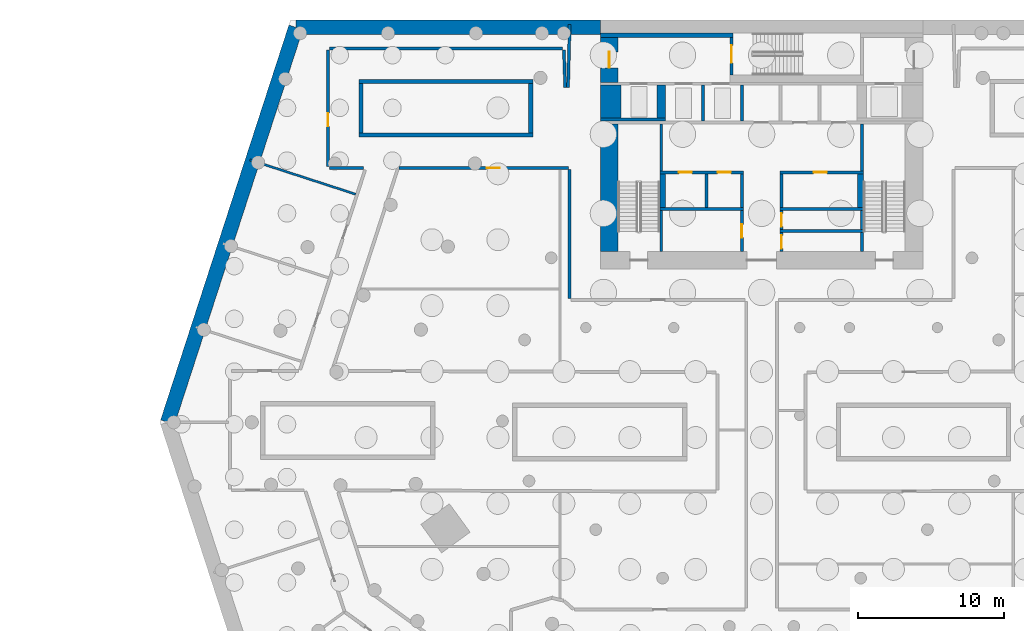
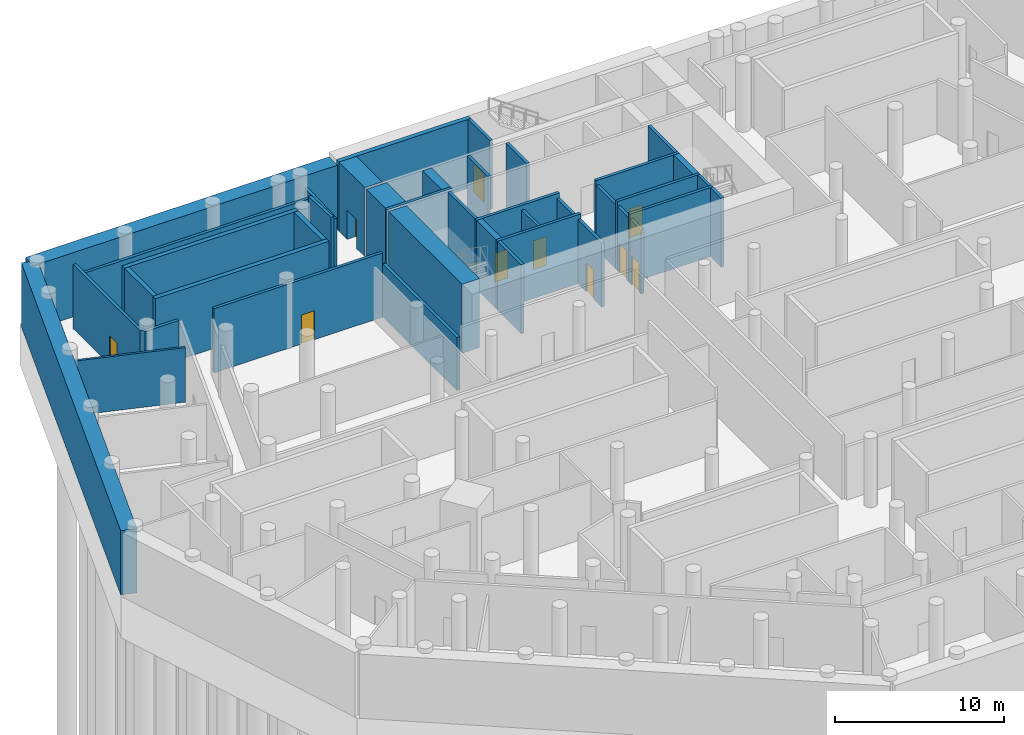
# One storey, part 8 of 12: 41 walls, 10 doors, 10 openings.
"""IFC4 building model written with IfcOpenShell, lengths in metres."""

import ifcopenshell
import ifcopenshell.guid

model = None  # the IFC model being written
_history = None  # IfcOwnerHistory: only IFC2X3 demands one
_inside = {}  # id of a spatial element -> (the spatial element, [elements in it])
_under = {}  # id of a project, library or spatial element -> (it, [spatial elements below it])
_declared = {}  # id of a project -> (the project, [libraries it declares])
_typed = {}  # id of a type object -> (the type object, [elements of that type])
_made_of = {}  # id of a material, layer set ... -> (it, [elements and type objects made of it])


def new_model(schema):
    """Start an empty IFC model of exactly this schema.

    Asked for "IFC4X3", IfcOpenShell would pick the latest addendum, in which some entities
    have other attributes; the version numbers below select the first issue.
    IFC2X3 requires an IfcOwnerHistory on every rooted entity: one is made here for all.
    """
    global model, _history
    if schema == "IFC4X3":
        model = ifcopenshell.file(schema_version=(4, 3, 0, 0))
    else:
        model = ifcopenshell.file(schema=schema)
    _inside.clear()
    _under.clear()
    _declared.clear()
    _typed.clear()
    _made_of.clear()
    _history = None
    if model.schema == "IFC2X3":
        org = make("IfcOrganization", Name="unknown")
        user = make(
            "IfcPersonAndOrganization",
            ThePerson=make("IfcPerson", FamilyName="unknown"),
            TheOrganization=org,
        )
        app = make(
            "IfcApplication",
            ApplicationDeveloper=org,
            Version="unknown",
            ApplicationFullName="unknown",
            ApplicationIdentifier="unknown",
        )
        _history = make(
            "IfcOwnerHistory",
            OwningUser=user,
            OwningApplication=app,
            ChangeAction="ADDED",
            CreationDate=0,
        )
    return model


def make(cls, **values):
    """One entity of the class cls with the attributes given. An attribute that is None is left unset."""
    return model.create_entity(
        cls, **{name: value for name, value in values.items() if value is not None}
    )


def rooted(cls, **values):
    """An entity with a GlobalId (a new one), such as an element, a storey or a relation."""
    return make(cls, GlobalId=ifcopenshell.guid.new(), OwnerHistory=_history, **values)


def si_unit(unit_type, name, prefix=None):
    """IfcSIUnit, for example si_unit("LENGTHUNIT", "METRE", prefix="MILLI")."""
    return make("IfcSIUnit", UnitType=unit_type, Prefix=prefix, Name=name)


def assignment(units):
    """IfcUnitAssignment: the units of a project."""
    return None if units is None else make("IfcUnitAssignment", Units=units)


def point(xyz):
    """IfcCartesianPoint."""
    return None if xyz is None else make("IfcCartesianPoint", Coordinates=xyz)


def direction(xyz):
    """IfcDirection."""
    return None if xyz is None else make("IfcDirection", DirectionRatios=xyz)


def frame(location, z_axis=None, x_axis=None):
    """IfcAxis2Placement3D, a coordinate frame: its origin and axes. An axis left out is left unset."""
    return make(
        "IfcAxis2Placement3D",
        Location=point(location),
        Axis=direction(z_axis),
        RefDirection=direction(x_axis),
    )


def frame_2d(location, x_axis=None):
    """IfcAxis2Placement2D, a coordinate frame in the plane: its origin and x axis."""
    return make(
        "IfcAxis2Placement2D", Location=point(location), RefDirection=direction(x_axis)
    )


def origin():
    """The frame at (0, 0, 0) with its axes left unset."""
    return frame((0.0, 0.0, 0.0))


def place(relative_to, where):
    """IfcLocalPlacement: puts the frame where relative to a parent placement (None: the world)."""
    return make(
        "IfcLocalPlacement", PlacementRelTo=relative_to, RelativePlacement=where
    )


def context(
    kind, dimensions, precision=None, world=None, true_north=None, identifier=None
):
    """IfcGeometricRepresentationContext, for example the 3D "Model" context."""
    return make(
        "IfcGeometricRepresentationContext",
        ContextIdentifier=identifier,
        ContextType=kind,
        CoordinateSpaceDimension=dimensions,
        Precision=precision,
        WorldCoordinateSystem=world,
        TrueNorth=true_north,
    )


def subcontext(parent, identifier, kind, view, scale=None):
    """IfcGeometricRepresentationSubContext, for example "Body" below "Model"."""
    return make(
        "IfcGeometricRepresentationSubContext",
        ContextIdentifier=identifier,
        ContextType=kind,
        ParentContext=parent,
        TargetScale=scale,
        TargetView=view,
    )


def project(units=None, contexts=None):
    """IfcProject with its units and contexts."""
    return rooted(
        "IfcProject",
        Name="project",
        RepresentationContexts=contexts,
        UnitsInContext=assignment(units),
    )


def spatial(cls, under=None, at=None, **own):
    """A site, building, storey or space (cls), placed at a placement, below another one or the project."""
    s = rooted(cls, ObjectPlacement=at, **own)
    if under is not None:
        _under.setdefault(under.id(), (under, []))[1].append(s)
    return s


def profile(cls, at=None, kind="AREA", **sizes):
    """A parametric profile (cls). Its sizes go by their IFC names, for example OverallWidth=200.0."""
    return make(cls, ProfileType=kind, Position=at, **sizes)


def rectangle(**sizes):
    """IfcRectangleProfileDef."""
    return profile("IfcRectangleProfileDef", **sizes)


def extrude(swept, where, along, depth):
    """IfcExtrudedAreaSolid: the profile swept, set in the frame where, extruded along a direction by depth."""
    return make(
        "IfcExtrudedAreaSolid",
        SweptArea=swept,
        Position=where,
        ExtrudedDirection=direction(along),
        Depth=depth,
    )


def shape(context_of_items, identifier, shape_type, items):
    """IfcShapeRepresentation: the items that make up one representation, for example the "Body"."""
    return make(
        "IfcShapeRepresentation",
        ContextOfItems=context_of_items,
        RepresentationIdentifier=identifier,
        RepresentationType=shape_type,
        Items=items,
    )


def material(Name=None, Category=None):
    """IfcMaterial."""
    return make("IfcMaterial", Name=Name, Category=Category)


def layer(
    of_material, thickness, ventilated=None, Name=None, Category=None, Priority=None
):
    """IfcMaterialLayer: one layer of a wall or slab, of a material (None: an air gap)."""
    return make(
        "IfcMaterialLayer",
        Material=of_material,
        LayerThickness=thickness,
        IsVentilated=ventilated,
        Name=Name,
        Category=Category,
        Priority=Priority,
    )


def layer_set(layers, Name=None):
    """IfcMaterialLayerSet."""
    return make("IfcMaterialLayerSet", MaterialLayers=layers, LayerSetName=Name)


def made_of(thing, what):
    """Note that an element or type object is made of a material, layer set ...; save() writes the relation."""
    if what is not None:
        _made_of.setdefault(what.id(), (what, []))[1].append(thing)
    return thing


def type_object(cls, material=None, **own):
    """A type object (cls), such as IfcWallType, which elements share."""
    return made_of(rooted(cls, **own), material)


def element(
    cls,
    number,
    at=None,
    inside=None,
    cuts=None,
    type_object=None,
    material=None,
    context=None,
    identifier="Body",
    shape_type=None,
    held_by="IfcProductDefinitionShape",
    body=None,
    shapes=None,
    **own,
):
    """One element of the class cls, such as IfcWall. Its Tag is "e" and its number.

    at: its placement. inside: the storey or other place that contains it. cuts: it is an
    opening in that element (IfcRelVoidsElement). A single representation is given by context,
    identifier, shape_type and body (its items); several are given by shapes. held_by: the class
    of the entity that holds the representations. save() writes the other relations.
    """
    e = rooted(cls, Tag="e%d" % number, ObjectPlacement=at, **own)
    if body is not None:
        shapes = [shape(context, identifier, shape_type, body)]
    if shapes is not None:
        e.Representation = make(held_by, Representations=shapes)
    if inside is not None:
        _inside.setdefault(inside.id(), (inside, []))[1].append(e)
    if cuts is not None:
        rooted(
            "IfcRelVoidsElement", RelatingBuildingElement=cuts, RelatedOpeningElement=e
        )
    if type_object is not None:
        _typed.setdefault(type_object.id(), (type_object, []))[1].append(e)
    return made_of(e, material)


def fill(opening, filler):
    """IfcRelFillsElement: the door or window that sits in an opening."""
    return rooted(
        "IfcRelFillsElement",
        RelatingOpeningElement=opening,
        RelatedBuildingElement=filler,
    )


def aggregate(whole, parts):
    """IfcRelAggregates: a whole, such as a stair, and the parts it consists of."""
    return rooted("IfcRelAggregates", RelatingObject=whole, RelatedObjects=parts)


def save(model, path):
    """Write the relations noted so far, then the file.

    IfcRelAggregates (storeys below a building ...), IfcRelContainedInSpatialStructure (elements
    in a storey), IfcRelDefinesByType, IfcRelAssociatesMaterial and IfcRelDeclares: one each for
    every whole, place, type object, material and project.
    """
    for whole, parts in _under.values():
        aggregate(whole, parts)
    for where, things in _inside.values():
        rooted(
            "IfcRelContainedInSpatialStructure",
            RelatedElements=things,
            RelatingStructure=where,
        )
    for kind, things in _typed.values():
        rooted("IfcRelDefinesByType", RelatedObjects=things, RelatingType=kind)
    for what, things in _made_of.values():
        rooted("IfcRelAssociatesMaterial", RelatedObjects=things, RelatingMaterial=what)
    for by, libraries in _declared.values():
        rooted("IfcRelDeclares", RelatingContext=by, RelatedDefinitions=libraries)
    model.write(path)


model = new_model("IFC4")

# Units and contexts
model_context = context("Model", 3, precision=1e-05, world=origin(), true_north=direction((0.0, 1.0)))
body_context = subcontext(model_context, "Body", "Model", "MODEL_VIEW")
ifc_project = project(units=[si_unit("LENGTHUNIT", "METRE"), si_unit("AREAUNIT", "SQUARE_METRE"), si_unit("VOLUMEUNIT", "CUBIC_METRE"), si_unit("PLANEANGLEUNIT", "RADIAN"), si_unit("MASSUNIT", "GRAM", prefix="KILO")], contexts=[model_context])

# Site, building, storey
site_placement = place(None, origin())
site = spatial("IfcSite", under=ifc_project, at=site_placement, CompositionType="ELEMENT")
building_placement = place(site_placement, origin())
building = spatial("IfcBuilding", under=site, at=building_placement, Name="White Candle Pilgrim Tower", CompositionType="ELEMENT")
storey_placement = place(building_placement, frame((0.0, 0.0, -10.0)))
storey = spatial("IfcBuildingStorey", under=building, at=storey_placement, Name="B2", CompositionType="ELEMENT", Elevation=-10.0)

# Wall, opening, door
ifc_material_1 = material(Name="Concrete C70/85", Category="concrete")
ifc_layer_1 = layer(ifc_material_1, 1.199951171875)
ifc_layer_set_1 = layer_set([ifc_layer_1], Name="Core wall 1200 mm Concrete C70/85")
wall_type_1 = type_object("IfcWallType", Name="Core wall 1200 mm Concrete C70/85", PredefinedType="SHEAR", material=ifc_layer_set_1)
wall_1_placement = place(storey_placement, frame((59.60009765625, 83.75, 0.0), z_axis=(0.0, 0.0, 1.0), x_axis=(0.0, 1.0, 0.0)))
wall_1 = element("IfcWall", 1, at=wall_1_placement, inside=storey, type_object=wall_type_1, Name="WL-B2-C34", PredefinedType="SHEAR", context=body_context, shape_type="SweptSolid", body=[
    extrude(rectangle(XDim=3.050048828125, YDim=1.199951171875, at=frame_2d((1.52490234375, 0.0))), origin(), (0.0, 0.0, 1.0), 5.0),
])
opening_1_placement = place(wall_1_placement, frame((0.97509765625, 0.0, 0.0)))
opening_1 = element("IfcOpeningElement", 2, at=opening_1_placement, cuts=wall_1, Name="Opening B2-008", PredefinedType="OPENING", context=body_context, shape_type="SweptSolid", body=[
    extrude(rectangle(XDim=1.10009765625, YDim=2.10009765625, at=frame_2d((0.550048828125, 1.050048828125))), frame((0.0, 0.60986328125, 0.0), z_axis=(0.0, -1.0, 0.0), x_axis=(1.0, 0.0, 0.0)), (0.0, 0.0, 1.0), 1.219970703125),
])
ifc_material_2 = material(Name="Steel door leaf", Category="steel")
door_type_1 = type_object("IfcDoorType", Name="Fire door 1100 x 2100 EI 60", OperationType="NOTDEFINED", PredefinedType="DOOR", material=ifc_material_2)
door_1_placement = place(opening_1_placement, origin())
door_1 = element("IfcDoor", 3, at=door_1_placement, inside=storey, type_object=door_type_1, Name="Door B2-008", OperationType="SINGLE_SWING_RIGHT", OverallHeight=2.10009765625, OverallWidth=1.10009765625, PredefinedType="DOOR", context=body_context, shape_type="SweptSolid", body=[
    extrude(rectangle(XDim=1.10009765625, YDim=2.10009765625, at=frame_2d((0.550048828125, 1.050048828125))), frame((0.0, 0.02490234375, 0.0), z_axis=(0.0, -1.0, 0.0), x_axis=(1.0, 0.0, 0.0)), (0.0, 0.0, 1.0), 0.050048828125),
])
fill(opening_1, door_1)

# Walls
ifc_layer_2 = layer(ifc_material_1, 1.39990234375)
ifc_layer_set_2 = layer_set([ifc_layer_2], Name="Core wall 1400 mm Concrete C70/85")
wall_type_2 = type_object("IfcWallType", Name="Core wall 1400 mm Concrete C70/85", PredefinedType="SHEAR", material=ifc_layer_set_2)
wall_2_placement = place(storey_placement, frame((59.699951171875, 81.300048828125, 0.0), z_axis=(0.0, 0.0, 1.0), x_axis=(0.0, 1.0, 0.0)))
element("IfcWall", 4, at=wall_2_placement, inside=storey, type_object=wall_type_2, Name="WL-B2-C29", PredefinedType="SHEAR", context=body_context, shape_type="SweptSolid", body=[
    extrude(rectangle(XDim=2.25, YDim=1.39990234375, at=frame_2d((1.125, 0.0))), origin(), (0.0, 0.0, 1.0), 5.0),
])
ifc_layer_3 = layer(ifc_material_1, 0.199951171875)
ifc_layer_set_3 = layer_set([ifc_layer_3], Name="Core wall 200 mm Concrete C70/85")
wall_type_3 = type_object("IfcWallType", Name="Core wall 200 mm Concrete C70/85", PredefinedType="SHEAR", material=ifc_layer_set_3)
wall_3_placement = place(storey_placement, frame((59.0, 81.199951171875, 0.0), z_axis=(0.0, 0.0, 1.0), x_axis=(1.0, 0.0, 0.0)))
element("IfcWall", 5, at=wall_3_placement, inside=storey, type_object=wall_type_3, Name="WL-B2-C23", PredefinedType="SHEAR", context=body_context, shape_type="SweptSolid", body=[
    extrude(rectangle(XDim=4.449951171875, YDim=0.199951171875, at=frame_2d((2.22509765625, 0.0))), origin(), (0.0, 0.0, 1.0), 5.0),
])
ifc_material_3 = material(Name="Gypsum board on steel studs", Category="steel")
ifc_layer_4 = layer(ifc_material_3, 0.199951171875)
ifc_layer_set_4 = layer_set([ifc_layer_4], Name="Corridor wall 200 mm EI 45")
wall_type_4 = type_object("IfcWallType", Name="Corridor wall 200 mm EI 45", PredefinedType="PARTITIONING", material=ifc_layer_set_4)
wall_4_placement = place(storey_placement, frame((42.8349609375, 77.89990234375, 0.0), z_axis=(0.0, 0.0, 1.0), x_axis=(-1.0, 0.0, 0.0)))
element("IfcWall", 6, at=wall_4_placement, inside=storey, type_object=wall_type_4, Name="WL-B2-P006", PredefinedType="PARTITIONING", context=body_context, shape_type="SweptSolid", body=[
    extrude(rectangle(XDim=2.3349609375, YDim=0.199951171875, at=frame_2d((1.16748046875, 0.0))), origin(), (0.0, 0.0, 1.0), 4.64990234375),
])

# Wall, opening, door
wall_5_placement = place(storey_placement, frame((40.39990234375, 78.0, 0.0), z_axis=(0.0, 0.0, 1.0), x_axis=(0.0, 1.0, 0.0)))
wall_5 = element("IfcWall", 7, at=wall_5_placement, inside=storey, type_object=wall_type_4, Name="WL-B2-P007", PredefinedType="PARTITIONING", context=body_context, shape_type="SweptSolid", body=[
    extrude(rectangle(XDim=7.949951171875, YDim=0.199951171875, at=frame_2d((3.97509765625, 0.0))), origin(), (0.0, 0.0, 1.0), 4.64990234375),
])
opening_2_placement = place(wall_5_placement, frame((2.739990234375, 0.0, 0.0)))
opening_2 = element("IfcOpeningElement", 8, at=opening_2_placement, cuts=wall_5, Name="Opening B2-101", PredefinedType="OPENING", context=body_context, shape_type="SweptSolid", body=[
    extrude(rectangle(XDim=0.89990234375, YDim=2.10009765625, at=frame_2d((0.449951171875, 1.050048828125))), frame((0.0, 0.10986328125, 0.0), z_axis=(0.0, -1.0, 0.0), x_axis=(1.0, 0.0, 0.0)), (0.0, 0.0, 1.0), 0.219970703125),
])
door_type_2 = type_object("IfcDoorType", Name="Fire door 900 x 2100 EI 30", OperationType="NOTDEFINED", PredefinedType="DOOR", material=ifc_material_2)
door_2_placement = place(opening_2_placement, origin())
door_2 = element("IfcDoor", 9, at=door_2_placement, inside=storey, type_object=door_type_2, Name="Door B2-101", OperationType="SINGLE_SWING_LEFT", OverallHeight=2.10009765625, OverallWidth=0.89990234375, PredefinedType="DOOR", context=body_context, shape_type="SweptSolid", body=[
    extrude(rectangle(XDim=0.89990234375, YDim=2.10009765625, at=frame_2d((0.449951171875, 1.050048828125))), frame((0.0, 0.02490234375, 0.0), z_axis=(0.0, -1.0, 0.0), x_axis=(1.0, 0.0, 0.0)), (0.0, 0.0, 1.0), 0.050048828125),
])
fill(opening_2, door_2)

# Walls
wall_6_placement = place(storey_placement, frame((40.5, 86.050048828125, 0.0), z_axis=(0.0, 0.0, 1.0), x_axis=(1.0, 0.0, 0.0)))
element("IfcWall", 10, at=wall_6_placement, inside=storey, type_object=wall_type_4, Name="WL-B2-P008", PredefinedType="PARTITIONING", context=body_context, shape_type="SweptSolid", body=[
    extrude(rectangle(XDim=15.9033203125, YDim=0.199951171875, at=frame_2d((7.95166015625, 0.0))), origin(), (0.0, 0.0, 1.0), 3.75),
])
wall_7_placement = place(storey_placement, frame((56.503173828125, 85.953369140625, 0.0), z_axis=(0.0, 0.0, 1.0), x_axis=(0.033027267016, -0.999454451005, 0.0)))
element("IfcWall", 11, at=wall_7_placement, inside=storey, type_object=wall_type_4, Name="WL-B2-P009", PredefinedType="PARTITIONING", context=body_context, shape_type="SweptSolid", body=[
    extrude(rectangle(XDim=2.572509765625, YDim=0.199951171875, at=frame_2d((1.2861328125, 0.0))), origin(), (0.0, 0.0, 1.0), 3.949951171875),
])
wall_8_placement = place(storey_placement, frame((56.7880859375, 83.383056640625, 0.0), z_axis=(0.0, 0.0, 1.0), x_axis=(0.026025742555, 0.999661272994, 0.0)))
element("IfcWall", 12, at=wall_8_placement, inside=storey, type_object=wall_type_4, Name="WL-B2-P010", PredefinedType="PARTITIONING", context=body_context, shape_type="SweptSolid", body=[
    extrude(rectangle(XDim=4.29638671875, YDim=0.199951171875, at=frame_2d((2.148193359375, 0.0))), origin(), (0.0, 0.0, 1.0), 3.75),
])
wall_9_placement = place(storey_placement, frame((56.89990234375, 69.0, 0.0), z_axis=(0.0, 0.0, 1.0), x_axis=(0.0, 1.0, 0.0)))
element("IfcWall", 13, at=wall_9_placement, inside=storey, type_object=wall_type_4, Name="WL-B2-P051", PredefinedType="PARTITIONING", context=body_context, shape_type="SweptSolid", body=[
    extrude(rectangle(XDim=8.800048828125, YDim=0.199951171875, at=frame_2d((4.39990234375, 0.0))), origin(), (0.0, 0.0, 1.0), 3.85009765625),
])

# Wall, opening, door
wall_10_placement = place(storey_placement, frame((56.800048828125, 77.89990234375, 0.0), z_axis=(0.0, 0.0, 1.0), x_axis=(-1.0, 0.0, 0.0)))
wall_10 = element("IfcWall", 14, at=wall_10_placement, inside=storey, type_object=wall_type_4, Name="WL-B2-P052", PredefinedType="PARTITIONING", context=body_context, shape_type="SweptSolid", body=[
    extrude(rectangle(XDim=11.546875, YDim=0.199951171875, at=frame_2d((5.7734375, 0.0))), origin(), (0.0, 0.0, 1.0), 4.64990234375),
])
opening_3_placement = place(wall_10_placement, frame((4.670166015625, 0.0, 0.0)))
opening_3 = element("IfcOpeningElement", 15, at=opening_3_placement, cuts=wall_10, Name="Opening B2-125", PredefinedType="OPENING", context=body_context, shape_type="SweptSolid", body=[
    extrude(rectangle(XDim=0.89990234375, YDim=2.10009765625, at=frame_2d((0.449951171875, 1.050048828125))), frame((0.0, 0.10986328125, 0.0), z_axis=(0.0, -1.0, 0.0), x_axis=(1.0, 0.0, 0.0)), (0.0, 0.0, 1.0), 0.219970703125),
])
door_3_placement = place(opening_3_placement, origin())
door_3 = element("IfcDoor", 16, at=door_3_placement, inside=storey, type_object=door_type_2, Name="Door B2-125", OperationType="SINGLE_SWING_LEFT", OverallHeight=2.10009765625, OverallWidth=0.89990234375, PredefinedType="DOOR", context=body_context, shape_type="SweptSolid", body=[
    extrude(rectangle(XDim=0.89990234375, YDim=2.10009765625, at=frame_2d((0.449951171875, 1.050048828125))), frame((0.0, 0.02490234375, 0.0), z_axis=(0.0, -1.0, 0.0), x_axis=(1.0, 0.0, 0.0)), (0.0, 0.0, 1.0), 0.050048828125),
])
fill(opening_3, door_3)

# Walls
ifc_material_4 = material(Name="Concrete C40/50", Category="concrete")
ifc_layer_5 = layer(ifc_material_4, 1.0)
ifc_layer_set_5 = layer_set([ifc_layer_5], Name="Diaphragm wall 1000")
wall_type_5 = type_object("IfcWallType", Name="Diaphragm wall 1000", PredefinedType="SOLIDWALL", material=ifc_layer_set_5)
wall_11_placement = place(storey_placement, frame((29.44580078125, 60.539306640625, 0.0), z_axis=(0.0, 0.0, 1.0), x_axis=(0.309015382076, 0.951057040161, 0.0)))
element("IfcWall", 17, at=wall_11_placement, inside=storey, type_object=wall_type_5, Name="Diaphragm wall B2-06", PredefinedType="SOLIDWALL", context=body_context, shape_type="SweptSolid", body=[
    extrude(rectangle(XDim=28.34814453125, YDim=1.0, at=frame_2d((14.174072265625, 0.0))), origin(), (0.0, 0.0, 1.0), 4.64990234375),
])
wall_12_placement = place(storey_placement, frame((38.205810546875, 87.5, 0.0), z_axis=(0.0, 0.0, 1.0), x_axis=(1.0, 0.0, 0.0)))
element("IfcWall", 18, at=wall_12_placement, inside=storey, type_object=wall_type_5, Name="Diaphragm wall B2-07", PredefinedType="SOLIDWALL", context=body_context, shape_type="SweptSolid", body=[
    extrude(rectangle(XDim=20.794189453125, YDim=1.0, at=frame_2d((10.39697265625, 0.0))), origin(), (0.0, 0.0, 1.0), 4.64990234375),
])

# Wall, opening, door
ifc_layer_6 = layer(ifc_material_3, 0.199951171875)
ifc_layer_set_6 = layer_set([ifc_layer_6], Name="Lobby wall 200 mm EI 60")
wall_type_6 = type_object("IfcWallType", Name="Lobby wall 200 mm EI 60", PredefinedType="PARTITIONING", material=ifc_layer_set_6)
wall_13_placement = place(storey_placement, frame((68.64990234375, 72.199951171875, 0.0), z_axis=(0.0, 0.0, 1.0), x_axis=(0.0, 1.0, 0.0)))
wall_13 = element("IfcWall", 19, at=wall_13_placement, inside=storey, type_object=wall_type_6, Name="WL-B2-C04", PredefinedType="PARTITIONING", context=body_context, shape_type="SweptSolid", body=[
    extrude(rectangle(XDim=2.800048828125, YDim=0.199951171875, at=frame_2d((1.39990234375, 0.0))), origin(), (0.0, 0.0, 1.0), 4.64990234375),
])
opening_4_placement = place(wall_13_placement, frame((0.949951171875, 0.0, 0.0)))
opening_4 = element("IfcOpeningElement", 20, at=opening_4_placement, cuts=wall_13, Name="Opening B2-005", PredefinedType="OPENING", context=body_context, shape_type="SweptSolid", body=[
    extrude(rectangle(XDim=0.89990234375, YDim=2.10009765625, at=frame_2d((0.449951171875, 1.050048828125))), frame((0.0, 0.10986328125, 0.0), z_axis=(0.0, -1.0, 0.0), x_axis=(1.0, 0.0, 0.0)), (0.0, 0.0, 1.0), 0.219970703125),
])
door_4_placement = place(opening_4_placement, origin())
door_4 = element("IfcDoor", 21, at=door_4_placement, inside=storey, type_object=door_type_2, Name="Door B2-005", OperationType="SINGLE_SWING_LEFT", OverallHeight=2.10009765625, OverallWidth=0.89990234375, PredefinedType="DOOR", context=body_context, shape_type="SweptSolid", body=[
    extrude(rectangle(XDim=0.89990234375, YDim=2.10009765625, at=frame_2d((0.449951171875, 1.050048828125))), frame((0.0, 0.02490234375, 0.0), z_axis=(0.0, -1.0, 0.0), x_axis=(1.0, 0.0, 0.0)), (0.0, 0.0, 1.0), 0.050048828125),
])
fill(opening_4, door_4)

wall_14_placement = place(storey_placement, frame((71.35009765625, 72.199951171875, 0.0), z_axis=(0.0, 0.0, 1.0), x_axis=(0.0, 1.0, 0.0)))
wall_14 = element("IfcWall", 22, at=wall_14_placement, inside=storey, type_object=wall_type_6, Name="WL-B2-C05", PredefinedType="PARTITIONING", context=body_context, shape_type="SweptSolid", body=[
    extrude(rectangle(XDim=1.300048828125, YDim=0.199951171875, at=frame_2d((0.64990234375, 0.0))), origin(), (0.0, 0.0, 1.0), 4.64990234375),
])
opening_5_placement = place(wall_14_placement, frame((0.199951171875, 0.0, 0.0)))
opening_5 = element("IfcOpeningElement", 23, at=opening_5_placement, cuts=wall_14, Name="Opening B2-006", PredefinedType="OPENING", context=body_context, shape_type="SweptSolid", body=[
    extrude(rectangle(XDim=0.89990234375, YDim=2.10009765625, at=frame_2d((0.449951171875, 1.050048828125))), frame((0.0, 0.10986328125, 0.0), z_axis=(0.0, -1.0, 0.0), x_axis=(1.0, 0.0, 0.0)), (0.0, 0.0, 1.0), 0.219970703125),
])
door_5_placement = place(opening_5_placement, origin())
door_5 = element("IfcDoor", 24, at=door_5_placement, inside=storey, type_object=door_type_2, Name="Door B2-006", OperationType="SINGLE_SWING_RIGHT", OverallHeight=2.10009765625, OverallWidth=0.89990234375, PredefinedType="DOOR", context=body_context, shape_type="SweptSolid", body=[
    extrude(rectangle(XDim=0.89990234375, YDim=2.10009765625, at=frame_2d((0.449951171875, 1.050048828125))), frame((0.0, 0.02490234375, 0.0), z_axis=(0.0, -1.0, 0.0), x_axis=(1.0, 0.0, 0.0)), (0.0, 0.0, 1.0), 0.050048828125),
])
fill(opening_5, door_5)

wall_15_placement = place(storey_placement, frame((71.35009765625, 73.699951171875, 0.0), z_axis=(0.0, 0.0, 1.0), x_axis=(0.0, 1.0, 0.0)))
wall_15 = element("IfcWall", 25, at=wall_15_placement, inside=storey, type_object=wall_type_6, Name="WL-B2-C09", PredefinedType="PARTITIONING", context=body_context, shape_type="SweptSolid", body=[
    extrude(rectangle(XDim=1.300048828125, YDim=0.199951171875, at=frame_2d((0.64990234375, 0.0))), origin(), (0.0, 0.0, 1.0), 4.64990234375),
])
opening_6_placement = place(wall_15_placement, frame((0.199951171875, 0.0, 0.0)))
opening_6 = element("IfcOpeningElement", 26, at=opening_6_placement, cuts=wall_15, Name="Opening B2-007", PredefinedType="OPENING", context=body_context, shape_type="SweptSolid", body=[
    extrude(rectangle(XDim=0.89990234375, YDim=2.10009765625, at=frame_2d((0.449951171875, 1.050048828125))), frame((0.0, 0.10986328125, 0.0), z_axis=(0.0, -1.0, 0.0), x_axis=(1.0, 0.0, 0.0)), (0.0, 0.0, 1.0), 0.219970703125),
])
door_6_placement = place(opening_6_placement, origin())
door_6 = element("IfcDoor", 27, at=door_6_placement, inside=storey, type_object=door_type_2, Name="Door B2-007", OperationType="SINGLE_SWING_LEFT", OverallHeight=2.10009765625, OverallWidth=0.89990234375, PredefinedType="DOOR", context=body_context, shape_type="SweptSolid", body=[
    extrude(rectangle(XDim=0.89990234375, YDim=2.10009765625, at=frame_2d((0.449951171875, 1.050048828125))), frame((0.0, 0.02490234375, 0.0), z_axis=(0.0, -1.0, 0.0), x_axis=(1.0, 0.0, 0.0)), (0.0, 0.0, 1.0), 0.050048828125),
])
fill(opening_6, door_6)

# Walls
for number, where, z_axis, x_axis, name in (
    (28, (66.2451171875, 75.199951171875, 0.0), (0.0, 0.0, 1.0), (0.0, 1.0, 0.0), "WL-B2-C14"),
    (29, (68.64990234375, 75.199951171875, 0.0), (0.0, 0.0, 1.0), (0.0, 1.0, 0.0), "WL-B2-C15"),
    (30, (71.35009765625, 75.199951171875, 0.0), (0.0, 0.0, 1.0), (0.0, 1.0, 0.0), "WL-B2-C16"),
):
    element("IfcWall", number, at=place(storey_placement, frame(where, z_axis=z_axis, x_axis=x_axis)), inside=storey, type_object=wall_type_6, Name=name, PredefinedType="PARTITIONING", context=body_context, shape_type="SweptSolid", body=[
        extrude(rectangle(XDim=2.300048828125, YDim=0.199951171875, at=frame_2d((1.14990234375, 0.0))), origin(), (0.0, 0.0, 1.0), 4.64990234375),
    ])
ifc_layer_7 = layer(ifc_material_3, 0.14990234375)
ifc_layer_set_7 = layer_set([ifc_layer_7], Name="Partition 150 mm EI 60")
wall_type_7 = type_object("IfcWallType", Name="Partition 150 mm EI 60", PredefinedType="PARTITIONING", material=ifc_layer_set_7)
wall_16_placement = place(storey_placement, frame((35.076171875, 78.450439453125, 0.0), z_axis=(0.0, 0.0, 1.0), x_axis=(0.951058681979, -0.309010329007, 0.0)))
element("IfcWall", 31, at=wall_16_placement, inside=storey, type_object=wall_type_7, Name="WL-B2-P065", PredefinedType="PARTITIONING", context=body_context, shape_type="SweptSolid", body=[
    extrude(rectangle(XDim=7.580078125, YDim=0.14990234375, at=frame_2d((3.7900390625, 0.0))), origin(), (0.0, 0.0, 1.0), 3.949951171875),
])
ifc_layer_8 = layer(ifc_material_1, 0.199951171875)
ifc_layer_set_8 = layer_set([ifc_layer_8], Name="Shaft wall 200 mm Concrete C70/85")
wall_type_8 = type_object("IfcWallType", Name="Shaft wall 200 mm Concrete C70/85", PredefinedType="SHEAR", material=ifc_layer_set_8)
for number, where, z_axis, x_axis, name in (
    (32, (66.0, 81.10009765625, 0.0), (0.0, 0.0, 1.0), (0.0, 1.0, 0.0), "WL-B2-C24"),
    (33, (68.64990234375, 81.10009765625, 0.0), (0.0, 0.0, 1.0), (0.0, 1.0, 0.0), "WL-B2-C25"),
):
    element("IfcWall", number, at=place(storey_placement, frame(where, z_axis=z_axis, x_axis=x_axis)), inside=storey, type_object=wall_type_8, Name=name, PredefinedType="SHEAR", context=body_context, shape_type="SweptSolid", body=[
        extrude(rectangle(XDim=2.449951171875, YDim=0.199951171875, at=frame_2d((1.22509765625, 0.0))), origin(), (0.0, 0.0, 1.0), 5.0),
    ])
ifc_material_5 = material(Name="Concrete C60/75", Category="concrete")
ifc_layer_9 = layer(ifc_material_5, 0.300048828125)
ifc_layer_set_9 = layer_set([ifc_layer_9], Name="Shaft wall 300 mm Concrete C60/75")
wall_type_9 = type_object("IfcWallType", Name="Shaft wall 300 mm Concrete C60/75", PredefinedType="SHEAR", material=ifc_layer_set_9)
for number, where, z_axis, x_axis, name in (
    (34, (42.5, 80.14990234375, 0.0), (0.0, 0.0, 1.0), (1.0, 0.0, 0.0), "WL-B2-PB10S"),
    (35, (42.5, 83.800048828125, 0.0), (0.0, 0.0, 1.0), (1.0, 0.0, 0.0), "WL-B2-PB10N"),
):
    element("IfcWall", number, at=place(storey_placement, frame(where, z_axis=z_axis, x_axis=x_axis)), inside=storey, type_object=wall_type_9, Name=name, PredefinedType="SHEAR", context=body_context, shape_type="SweptSolid", body=[
        extrude(rectangle(XDim=11.89990234375, YDim=0.300048828125, at=frame_2d((5.949951171875, 0.0))), origin(), (0.0, 0.0, 1.0), 5.0),
    ])
for number, where, z_axis, x_axis, name in (
    (36, (42.64990234375, 80.300048828125, 0.0), (0.0, 0.0, 1.0), (0.0, 1.0, 0.0), "WL-B2-PB10W"),
    (37, (54.25, 80.300048828125, 0.0), (0.0, 0.0, 1.0), (0.0, 1.0, 0.0), "WL-B2-PB10E"),
):
    element("IfcWall", number, at=place(storey_placement, frame(where, z_axis=z_axis, x_axis=x_axis)), inside=storey, type_object=wall_type_9, Name=name, PredefinedType="SHEAR", context=body_context, shape_type="SweptSolid", body=[
        extrude(rectangle(XDim=3.349853515625, YDim=0.300048828125, at=frame_2d((1.6748046875, 0.0))), origin(), (0.0, 0.0, 1.0), 5.0),
    ])
ifc_layer_10 = layer(ifc_material_1, 0.60009765625)
ifc_layer_set_10 = layer_set([ifc_layer_10], Name="Shaft wall 600 mm Concrete C70/85")
wall_type_10 = type_object("IfcWallType", Name="Shaft wall 600 mm Concrete C70/85", PredefinedType="SHEAR", material=ifc_layer_set_10)
wall_17_placement = place(storey_placement, frame((63.14990234375, 81.300048828125, 0.0), z_axis=(0.0, 0.0, 1.0), x_axis=(0.0, 1.0, 0.0)))
element("IfcWall", 38, at=wall_17_placement, inside=storey, type_object=wall_type_10, Name="WL-B2-C30", PredefinedType="SHEAR", context=body_context, shape_type="SweptSolid", body=[
    extrude(rectangle(XDim=2.25, YDim=0.60009765625, at=frame_2d((1.125, 0.0))), origin(), (0.0, 0.0, 1.0), 5.0),
])
ifc_layer_11 = layer(ifc_material_1, 1.199951171875)
ifc_layer_set_11 = layer_set([ifc_layer_11], Name="Stair shaft wall 1200 mm Concrete C70/85")
wall_type_11 = type_object("IfcWallType", Name="Stair shaft wall 1200 mm Concrete C70/85", PredefinedType="SHEAR", material=ifc_layer_set_11)
wall_18_placement = place(storey_placement, frame((59.60009765625, 72.199951171875, 0.0), z_axis=(0.0, 0.0, 1.0), x_axis=(0.0, 1.0, 0.0)))
element("IfcWall", 39, at=wall_18_placement, inside=storey, type_object=wall_type_11, Name="WL-B2-C02", PredefinedType="SHEAR", context=body_context, shape_type="SweptSolid", body=[
    extrude(rectangle(XDim=8.699951171875, YDim=1.199951171875, at=frame_2d((4.35009765625, 0.0))), origin(), (0.0, 0.0, 1.0), 5.0),
])
ifc_layer_12 = layer(ifc_material_1, 0.199951171875)
ifc_layer_set_12 = layer_set([ifc_layer_12], Name="Stair shaft wall 200 mm Concrete C70/85")
wall_type_12 = type_object("IfcWallType", Name="Stair shaft wall 200 mm Concrete C70/85", PredefinedType="SHEAR", material=ifc_layer_set_12)
wall_19_placement = place(storey_placement, frame((63.14990234375, 72.199951171875, 0.0), z_axis=(0.0, 0.0, 1.0), x_axis=(0.0, 1.0, 0.0)))
element("IfcWall", 40, at=wall_19_placement, inside=storey, type_object=wall_type_12, Name="WL-B2-C03", PredefinedType="SHEAR", context=body_context, shape_type="SweptSolid", body=[
    extrude(rectangle(XDim=2.800048828125, YDim=0.199951171875, at=frame_2d((1.39990234375, 0.0))), origin(), (0.0, 0.0, 1.0), 5.0),
])
wall_20_placement = place(storey_placement, frame((76.85009765625, 72.199951171875, 0.0), z_axis=(0.0, 0.0, 1.0), x_axis=(0.0, 1.0, 0.0)))
element("IfcWall", 41, at=wall_20_placement, inside=storey, type_object=wall_type_12, Name="WL-B2-C06", PredefinedType="SHEAR", context=body_context, shape_type="SweptSolid", body=[
    extrude(rectangle(XDim=1.300048828125, YDim=0.199951171875, at=frame_2d((0.64990234375, 0.0))), origin(), (0.0, 0.0, 1.0), 5.0),
])
wall_21_placement = place(storey_placement, frame((71.25, 73.60009765625, 0.0), z_axis=(0.0, 0.0, 1.0), x_axis=(1.0, 0.0, 0.0)))
element("IfcWall", 42, at=wall_21_placement, inside=storey, type_object=wall_type_12, Name="WL-B2-C08", PredefinedType="SHEAR", context=body_context, shape_type="SweptSolid", body=[
    extrude(rectangle(XDim=5.699951171875, YDim=0.199951171875, at=frame_2d((2.85009765625, 0.0))), origin(), (0.0, 0.0, 1.0), 5.0),
])
wall_22_placement = place(storey_placement, frame((76.85009765625, 73.699951171875, 0.0), z_axis=(0.0, 0.0, 1.0), x_axis=(0.0, 1.0, 0.0)))
element("IfcWall", 43, at=wall_22_placement, inside=storey, type_object=wall_type_12, Name="WL-B2-C10", PredefinedType="SHEAR", context=body_context, shape_type="SweptSolid", body=[
    extrude(rectangle(XDim=1.300048828125, YDim=0.199951171875, at=frame_2d((0.64990234375, 0.0))), origin(), (0.0, 0.0, 1.0), 5.0),
])
for number, where, z_axis, x_axis, name in (
    (44, (63.050048828125, 75.10009765625, 0.0), (0.0, 0.0, 1.0), (1.0, 0.0, 0.0), "WL-B2-C11"),
    (45, (71.25, 75.10009765625, 0.0), (0.0, 0.0, 1.0), (1.0, 0.0, 0.0), "WL-B2-C12"),
):
    element("IfcWall", number, at=place(storey_placement, frame(where, z_axis=z_axis, x_axis=x_axis)), inside=storey, type_object=wall_type_12, Name=name, PredefinedType="SHEAR", context=body_context, shape_type="SweptSolid", body=[
        extrude(rectangle(XDim=5.699951171875, YDim=0.199951171875, at=frame_2d((2.85009765625, 0.0))), origin(), (0.0, 0.0, 1.0), 5.0),
    ])

# Wall, openings, doors
wall_23_placement = place(storey_placement, frame((63.050048828125, 77.60009765625, 0.0), z_axis=(0.0, 0.0, 1.0), x_axis=(1.0, 0.0, 0.0)))
wall_23 = element("IfcWall", 46, at=wall_23_placement, inside=storey, type_object=wall_type_12, Name="WL-B2-C18", PredefinedType="SHEAR", context=body_context, shape_type="SweptSolid", body=[
    extrude(rectangle(XDim=5.699951171875, YDim=0.199951171875, at=frame_2d((2.85009765625, 0.0))), origin(), (0.0, 0.0, 1.0), 5.0),
])
opening_7_placement = place(wall_23_placement, frame((1.297607421875, 0.0, 0.0)))
opening_7 = element("IfcOpeningElement", 47, at=opening_7_placement, cuts=wall_23, Name="Opening B2-014", PredefinedType="OPENING", context=body_context, shape_type="SweptSolid", body=[
    extrude(rectangle(XDim=0.89990234375, YDim=2.10009765625, at=frame_2d((0.449951171875, 1.050048828125))), frame((0.0, 0.10986328125, 0.0), z_axis=(0.0, -1.0, 0.0), x_axis=(1.0, 0.0, 0.0)), (0.0, 0.0, 1.0), 0.219970703125),
])
opening_8_placement = place(wall_23_placement, frame((3.947509765625, 0.0, 0.0)))
opening_8 = element("IfcOpeningElement", 48, at=opening_8_placement, cuts=wall_23, Name="Opening B2-015", PredefinedType="OPENING", context=body_context, shape_type="SweptSolid", body=[
    extrude(rectangle(XDim=0.89990234375, YDim=2.10009765625, at=frame_2d((0.449951171875, 1.050048828125))), frame((0.0, 0.10986328125, 0.0), z_axis=(0.0, -1.0, 0.0), x_axis=(1.0, 0.0, 0.0)), (0.0, 0.0, 1.0), 0.219970703125),
])
door_7_placement = place(opening_7_placement, origin())
door_7 = element("IfcDoor", 49, at=door_7_placement, inside=storey, type_object=door_type_2, Name="Door B2-014", OperationType="SINGLE_SWING_RIGHT", OverallHeight=2.10009765625, OverallWidth=0.89990234375, PredefinedType="DOOR", context=body_context, shape_type="SweptSolid", body=[
    extrude(rectangle(XDim=0.89990234375, YDim=2.10009765625, at=frame_2d((0.449951171875, 1.050048828125))), frame((0.0, 0.02490234375, 0.0), z_axis=(0.0, -1.0, 0.0), x_axis=(1.0, 0.0, 0.0)), (0.0, 0.0, 1.0), 0.050048828125),
])
fill(opening_7, door_7)
door_8_placement = place(opening_8_placement, origin())
door_8 = element("IfcDoor", 50, at=door_8_placement, inside=storey, type_object=door_type_2, Name="Door B2-015", OperationType="SINGLE_SWING_LEFT", OverallHeight=2.10009765625, OverallWidth=0.89990234375, PredefinedType="DOOR", context=body_context, shape_type="SweptSolid", body=[
    extrude(rectangle(XDim=0.89990234375, YDim=2.10009765625, at=frame_2d((0.449951171875, 1.050048828125))), frame((0.0, 0.02490234375, 0.0), z_axis=(0.0, -1.0, 0.0), x_axis=(1.0, 0.0, 0.0)), (0.0, 0.0, 1.0), 0.050048828125),
])
fill(opening_8, door_8)

# Wall, opening, door
wall_24_placement = place(storey_placement, frame((71.25, 77.60009765625, 0.0), z_axis=(0.0, 0.0, 1.0), x_axis=(1.0, 0.0, 0.0)))
wall_24 = element("IfcWall", 51, at=wall_24_placement, inside=storey, type_object=wall_type_12, Name="WL-B2-C19", PredefinedType="SHEAR", context=body_context, shape_type="SweptSolid", body=[
    extrude(rectangle(XDim=5.699951171875, YDim=0.199951171875, at=frame_2d((2.85009765625, 0.0))), origin(), (0.0, 0.0, 1.0), 5.0),
])
opening_9_placement = place(wall_24_placement, frame((2.300048828125, 0.0, 0.0)))
opening_9 = element("IfcOpeningElement", 52, at=opening_9_placement, cuts=wall_24, Name="Opening B2-016", PredefinedType="OPENING", context=body_context, shape_type="SweptSolid", body=[
    extrude(rectangle(XDim=0.89990234375, YDim=2.10009765625, at=frame_2d((0.449951171875, 1.050048828125))), frame((0.0, 0.10986328125, 0.0), z_axis=(0.0, -1.0, 0.0), x_axis=(1.0, 0.0, 0.0)), (0.0, 0.0, 1.0), 0.219970703125),
])
door_9_placement = place(opening_9_placement, origin())
door_9 = element("IfcDoor", 53, at=door_9_placement, inside=storey, type_object=door_type_2, Name="Door B2-016", OperationType="SINGLE_SWING_RIGHT", OverallHeight=2.10009765625, OverallWidth=0.89990234375, PredefinedType="DOOR", context=body_context, shape_type="SweptSolid", body=[
    extrude(rectangle(XDim=0.89990234375, YDim=2.10009765625, at=frame_2d((0.449951171875, 1.050048828125))), frame((0.0, 0.02490234375, 0.0), z_axis=(0.0, -1.0, 0.0), x_axis=(1.0, 0.0, 0.0)), (0.0, 0.0, 1.0), 0.050048828125),
])
fill(opening_9, door_9)

# Walls
for number, where, z_axis, x_axis, name in (
    (54, (63.14990234375, 77.699951171875, 0.0), (0.0, 0.0, 1.0), (0.0, 1.0, 0.0), "WL-B2-C20"),
    (55, (76.85009765625, 77.699951171875, 0.0), (0.0, 0.0, 1.0), (0.0, 1.0, 0.0), "WL-B2-C21"),
):
    element("IfcWall", number, at=place(storey_placement, frame(where, z_axis=z_axis, x_axis=x_axis)), inside=storey, type_object=wall_type_12, Name=name, PredefinedType="SHEAR", context=body_context, shape_type="SweptSolid", body=[
        extrude(rectangle(XDim=3.199951171875, YDim=0.199951171875, at=frame_2d((1.60009765625, 0.0))), origin(), (0.0, 0.0, 1.0), 5.0),
    ])

# Wall, opening, door
wall_25_placement = place(storey_placement, frame((67.949951171875, 84.25, 0.0), z_axis=(0.0, 0.0, 1.0), x_axis=(0.0, 1.0, 0.0)))
wall_25 = element("IfcWall", 56, at=wall_25_placement, inside=storey, type_object=wall_type_12, Name="WL-B2-C37", PredefinedType="SHEAR", context=body_context, shape_type="SweptSolid", body=[
    extrude(rectangle(XDim=2.550048828125, YDim=0.199951171875, at=frame_2d((1.27490234375, 0.0))), origin(), (0.0, 0.0, 1.0), 5.0),
])
opening_10_placement = place(wall_25_placement, frame((0.824951171875, 0.0, 0.0)))
opening_10 = element("IfcOpeningElement", 57, at=opening_10_placement, cuts=wall_25, Name="Opening B2-003", PredefinedType="OPENING", context=body_context, shape_type="SweptSolid", body=[
    extrude(rectangle(XDim=1.199951171875, YDim=2.10009765625, at=frame_2d((0.60009765625, 1.050048828125))), frame((0.0, 0.10986328125, 0.0), z_axis=(0.0, -1.0, 0.0), x_axis=(1.0, 0.0, 0.0)), (0.0, 0.0, 1.0), 0.219970703125),
])
door_type_3 = type_object("IfcDoorType", Name="Fire door 1200 x 2100 EI 60", OperationType="NOTDEFINED", PredefinedType="DOOR", material=ifc_material_2)
door_10_placement = place(opening_10_placement, frame((1.199951171875, 0.0, 0.0), z_axis=(0.0, 0.0, 1.0), x_axis=(-1.0, 0.0, 0.0)))
door_10 = element("IfcDoor", 58, at=door_10_placement, inside=storey, type_object=door_type_3, Name="Door B2-003", OperationType="SINGLE_SWING_RIGHT", OverallHeight=2.10009765625, OverallWidth=1.199951171875, PredefinedType="DOOR", context=body_context, shape_type="SweptSolid", body=[
    extrude(rectangle(XDim=1.199951171875, YDim=2.10009765625, at=frame_2d((0.60009765625, 1.050048828125))), frame((0.0, 0.02490234375, 0.0), z_axis=(0.0, -1.0, 0.0), x_axis=(1.0, 0.0, 0.0)), (0.0, 0.0, 1.0), 0.050048828125),
])
fill(opening_10, door_10)

# Walls
ifc_layer_13 = layer(ifc_material_1, 0.300048828125)
ifc_layer_set_13 = layer_set([ifc_layer_13], Name="Stair shaft wall 300 mm Concrete C70/85")
wall_type_13 = type_object("IfcWallType", Name="Stair shaft wall 300 mm Concrete C70/85", PredefinedType="SHEAR", material=ifc_layer_set_13)
wall_26_placement = place(storey_placement, frame((59.0, 86.949951171875, 0.0), z_axis=(0.0, 0.0, 1.0), x_axis=(1.0, 0.0, 0.0)))
element("IfcWall", 59, at=wall_26_placement, inside=storey, type_object=wall_type_13, Name="WL-B2-C39", PredefinedType="SHEAR", context=body_context, shape_type="SweptSolid", body=[
    extrude(rectangle(XDim=9.050048828125, YDim=0.300048828125, at=frame_2d((4.52490234375, 0.0))), origin(), (0.0, 0.0, 1.0), 5.0),
])
ifc_layer_14 = layer(ifc_material_1, 0.39990234375)
ifc_layer_set_14 = layer_set([ifc_layer_14], Name="Stair shaft wall 400 mm Concrete C70/85")
wall_type_14 = type_object("IfcWallType", Name="Stair shaft wall 400 mm Concrete C70/85", PredefinedType="SHEAR", material=ifc_layer_set_14)
for number, where, z_axis, x_axis, name in (
    (60, (63.25, 75.199951171875, 0.0), (0.0, 0.0, 1.0), (0.0, 1.0, 0.0), "WL-B2-C13"),
    (61, (76.75, 75.199951171875, 0.0), (0.0, 0.0, 1.0), (0.0, 1.0, 0.0), "WL-B2-C17"),
):
    element("IfcWall", number, at=place(storey_placement, frame(where, z_axis=z_axis, x_axis=x_axis)), inside=storey, type_object=wall_type_14, Name=name, PredefinedType="SHEAR", context=body_context, shape_type="SweptSolid", body=[
        extrude(rectangle(XDim=2.300048828125, YDim=0.39990234375, at=frame_2d((1.14990234375, 0.0))), origin(), (0.0, 0.0, 1.0), 5.0),
    ])

save(model, "model.ifc")
